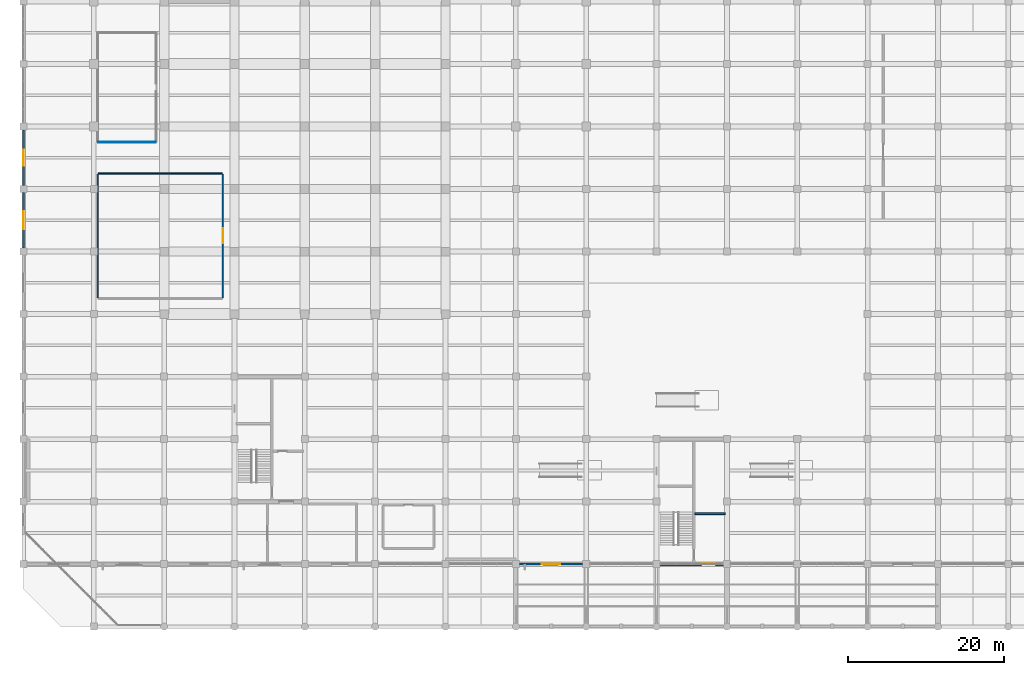
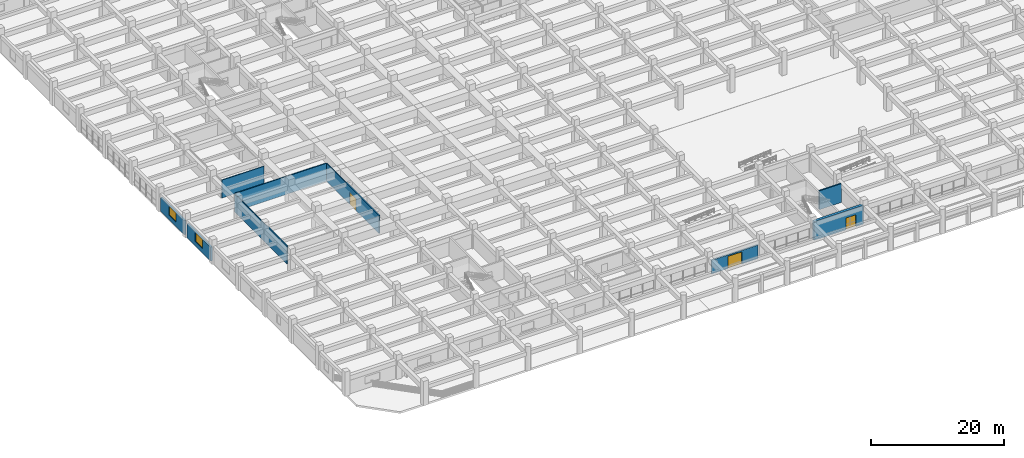
# One storey, part 22 of 40: 9 walls, 3 doors, 2 windows, 5 openings.
"""IFC4 building model written with IfcOpenShell, lengths in metres."""

import ifcopenshell
import ifcopenshell.guid

model = None  # the IFC model being written
_history = None  # IfcOwnerHistory: only IFC2X3 demands one
_inside = {}  # id of a spatial element -> (the spatial element, [elements in it])
_under = {}  # id of a project, library or spatial element -> (it, [spatial elements below it])
_declared = {}  # id of a project -> (the project, [libraries it declares])
_typed = {}  # id of a type object -> (the type object, [elements of that type])
_made_of = {}  # id of a material, layer set ... -> (it, [elements and type objects made of it])


def new_model(schema):
    """Start an empty IFC model of exactly this schema.

    Asked for "IFC4X3", IfcOpenShell would pick the latest addendum, in which some entities
    have other attributes; the version numbers below select the first issue.
    IFC2X3 requires an IfcOwnerHistory on every rooted entity: one is made here for all.
    """
    global model, _history
    if schema == "IFC4X3":
        model = ifcopenshell.file(schema_version=(4, 3, 0, 0))
    else:
        model = ifcopenshell.file(schema=schema)
    _inside.clear()
    _under.clear()
    _declared.clear()
    _typed.clear()
    _made_of.clear()
    _history = None
    if model.schema == "IFC2X3":
        org = make("IfcOrganization", Name="unknown")
        user = make(
            "IfcPersonAndOrganization",
            ThePerson=make("IfcPerson", FamilyName="unknown"),
            TheOrganization=org,
        )
        app = make(
            "IfcApplication",
            ApplicationDeveloper=org,
            Version="unknown",
            ApplicationFullName="unknown",
            ApplicationIdentifier="unknown",
        )
        _history = make(
            "IfcOwnerHistory",
            OwningUser=user,
            OwningApplication=app,
            ChangeAction="ADDED",
            CreationDate=0,
        )
    return model


def make(cls, **values):
    """One entity of the class cls with the attributes given. An attribute that is None is left unset."""
    return model.create_entity(
        cls, **{name: value for name, value in values.items() if value is not None}
    )


def rooted(cls, **values):
    """An entity with a GlobalId (a new one), such as an element, a storey or a relation."""
    return make(cls, GlobalId=ifcopenshell.guid.new(), OwnerHistory=_history, **values)


def si_unit(unit_type, name, prefix=None):
    """IfcSIUnit, for example si_unit("LENGTHUNIT", "METRE", prefix="MILLI")."""
    return make("IfcSIUnit", UnitType=unit_type, Prefix=prefix, Name=name)


def assignment(units):
    """IfcUnitAssignment: the units of a project."""
    return None if units is None else make("IfcUnitAssignment", Units=units)


def point(xyz):
    """IfcCartesianPoint."""
    return None if xyz is None else make("IfcCartesianPoint", Coordinates=xyz)


def direction(xyz):
    """IfcDirection."""
    return None if xyz is None else make("IfcDirection", DirectionRatios=xyz)


def frame(location, z_axis=None, x_axis=None):
    """IfcAxis2Placement3D, a coordinate frame: its origin and axes. An axis left out is left unset."""
    return make(
        "IfcAxis2Placement3D",
        Location=point(location),
        Axis=direction(z_axis),
        RefDirection=direction(x_axis),
    )


def frame_2d(location, x_axis=None):
    """IfcAxis2Placement2D, a coordinate frame in the plane: its origin and x axis."""
    return make(
        "IfcAxis2Placement2D", Location=point(location), RefDirection=direction(x_axis)
    )


def origin():
    """The frame at (0, 0, 0) with its axes left unset."""
    return frame((0.0, 0.0, 0.0))


def place(relative_to, where):
    """IfcLocalPlacement: puts the frame where relative to a parent placement (None: the world)."""
    return make(
        "IfcLocalPlacement", PlacementRelTo=relative_to, RelativePlacement=where
    )


def context(
    kind, dimensions, precision=None, world=None, true_north=None, identifier=None
):
    """IfcGeometricRepresentationContext, for example the 3D "Model" context."""
    return make(
        "IfcGeometricRepresentationContext",
        ContextIdentifier=identifier,
        ContextType=kind,
        CoordinateSpaceDimension=dimensions,
        Precision=precision,
        WorldCoordinateSystem=world,
        TrueNorth=true_north,
    )


def subcontext(parent, identifier, kind, view, scale=None):
    """IfcGeometricRepresentationSubContext, for example "Body" below "Model"."""
    return make(
        "IfcGeometricRepresentationSubContext",
        ContextIdentifier=identifier,
        ContextType=kind,
        ParentContext=parent,
        TargetScale=scale,
        TargetView=view,
    )


def project(units=None, contexts=None):
    """IfcProject with its units and contexts."""
    return rooted(
        "IfcProject",
        Name="project",
        RepresentationContexts=contexts,
        UnitsInContext=assignment(units),
    )


def spatial(cls, under=None, at=None, **own):
    """A site, building, storey or space (cls), placed at a placement, below another one or the project."""
    s = rooted(cls, ObjectPlacement=at, **own)
    if under is not None:
        _under.setdefault(under.id(), (under, []))[1].append(s)
    return s


def profile(cls, at=None, kind="AREA", **sizes):
    """A parametric profile (cls). Its sizes go by their IFC names, for example OverallWidth=200.0."""
    return make(cls, ProfileType=kind, Position=at, **sizes)


def rectangle(**sizes):
    """IfcRectangleProfileDef."""
    return profile("IfcRectangleProfileDef", **sizes)


def extrude(swept, where, along, depth):
    """IfcExtrudedAreaSolid: the profile swept, set in the frame where, extruded along a direction by depth."""
    return make(
        "IfcExtrudedAreaSolid",
        SweptArea=swept,
        Position=where,
        ExtrudedDirection=direction(along),
        Depth=depth,
    )


def shape(context_of_items, identifier, shape_type, items):
    """IfcShapeRepresentation: the items that make up one representation, for example the "Body"."""
    return make(
        "IfcShapeRepresentation",
        ContextOfItems=context_of_items,
        RepresentationIdentifier=identifier,
        RepresentationType=shape_type,
        Items=items,
    )


def material(Name=None, Category=None):
    """IfcMaterial."""
    return make("IfcMaterial", Name=Name, Category=Category)


def layer(
    of_material, thickness, ventilated=None, Name=None, Category=None, Priority=None
):
    """IfcMaterialLayer: one layer of a wall or slab, of a material (None: an air gap)."""
    return make(
        "IfcMaterialLayer",
        Material=of_material,
        LayerThickness=thickness,
        IsVentilated=ventilated,
        Name=Name,
        Category=Category,
        Priority=Priority,
    )


def layer_set(layers, Name=None):
    """IfcMaterialLayerSet."""
    return make("IfcMaterialLayerSet", MaterialLayers=layers, LayerSetName=Name)


def made_of(thing, what):
    """Note that an element or type object is made of a material, layer set ...; save() writes the relation."""
    if what is not None:
        _made_of.setdefault(what.id(), (what, []))[1].append(thing)
    return thing


def type_object(cls, material=None, **own):
    """A type object (cls), such as IfcWallType, which elements share."""
    return made_of(rooted(cls, **own), material)


def element(
    cls,
    number,
    at=None,
    inside=None,
    cuts=None,
    type_object=None,
    material=None,
    context=None,
    identifier="Body",
    shape_type=None,
    held_by="IfcProductDefinitionShape",
    body=None,
    shapes=None,
    **own,
):
    """One element of the class cls, such as IfcWall. Its Tag is "e" and its number.

    at: its placement. inside: the storey or other place that contains it. cuts: it is an
    opening in that element (IfcRelVoidsElement). A single representation is given by context,
    identifier, shape_type and body (its items); several are given by shapes. held_by: the class
    of the entity that holds the representations. save() writes the other relations.
    """
    e = rooted(cls, Tag="e%d" % number, ObjectPlacement=at, **own)
    if body is not None:
        shapes = [shape(context, identifier, shape_type, body)]
    if shapes is not None:
        e.Representation = make(held_by, Representations=shapes)
    if inside is not None:
        _inside.setdefault(inside.id(), (inside, []))[1].append(e)
    if cuts is not None:
        rooted(
            "IfcRelVoidsElement", RelatingBuildingElement=cuts, RelatedOpeningElement=e
        )
    if type_object is not None:
        _typed.setdefault(type_object.id(), (type_object, []))[1].append(e)
    return made_of(e, material)


def fill(opening, filler):
    """IfcRelFillsElement: the door or window that sits in an opening."""
    return rooted(
        "IfcRelFillsElement",
        RelatingOpeningElement=opening,
        RelatedBuildingElement=filler,
    )


def aggregate(whole, parts):
    """IfcRelAggregates: a whole, such as a stair, and the parts it consists of."""
    return rooted("IfcRelAggregates", RelatingObject=whole, RelatedObjects=parts)


def save(model, path):
    """Write the relations noted so far, then the file.

    IfcRelAggregates (storeys below a building ...), IfcRelContainedInSpatialStructure (elements
    in a storey), IfcRelDefinesByType, IfcRelAssociatesMaterial and IfcRelDeclares: one each for
    every whole, place, type object, material and project.
    """
    for whole, parts in _under.values():
        aggregate(whole, parts)
    for where, things in _inside.values():
        rooted(
            "IfcRelContainedInSpatialStructure",
            RelatedElements=things,
            RelatingStructure=where,
        )
    for kind, things in _typed.values():
        rooted("IfcRelDefinesByType", RelatedObjects=things, RelatingType=kind)
    for what, things in _made_of.values():
        rooted("IfcRelAssociatesMaterial", RelatedObjects=things, RelatingMaterial=what)
    for by, libraries in _declared.values():
        rooted("IfcRelDeclares", RelatingContext=by, RelatedDefinitions=libraries)
    model.write(path)


model = new_model("IFC4")

# Units and contexts
model_context = context("Model", 3, precision=1e-05, world=origin(), true_north=direction((0.0, 1.0)))
body_context = subcontext(model_context, "Body", "Model", "MODEL_VIEW")
ifc_project = project(units=[si_unit("LENGTHUNIT", "METRE"), si_unit("AREAUNIT", "SQUARE_METRE"), si_unit("VOLUMEUNIT", "CUBIC_METRE"), si_unit("PLANEANGLEUNIT", "RADIAN"), si_unit("MASSUNIT", "GRAM", prefix="KILO")], contexts=[model_context])

# Site, building, storey
site_placement = place(None, origin())
site = spatial("IfcSite", under=ifc_project, at=site_placement, CompositionType="ELEMENT")
building_placement = place(site_placement, origin())
building = spatial("IfcBuilding", under=site, at=building_placement, Name="Zaverband Oceanarium and Marine Research Institute", CompositionType="ELEMENT")
storey_placement = place(building_placement, origin())
storey = spatial("IfcBuildingStorey", under=building, at=storey_placement, Name="L00", CompositionType="ELEMENT", Elevation=0.0)

# Wall, opening, door
ifc_material_1 = material(Name="Concrete C50/60", Category="concrete")
ifc_layer_1 = layer(ifc_material_1, 0.449951171875, Name="Concrete C50/60")
ifc_layer_set_1 = layer_set([ifc_layer_1], Name="Concrete C50/60")
wall_type_1 = type_object("IfcWallType", Name="CW-02", PredefinedType="SHEAR", material=ifc_layer_set_1)
wall_1_placement = place(storey_placement, frame((81.22509765625, 8.0, 0.0), z_axis=(0.0, 0.0, 1.0), x_axis=(1.0, 0.0, 0.0)))
wall_1 = element("IfcWall", 1, at=wall_1_placement, inside=storey, type_object=wall_type_1, Name="Structural shear wall CW-02", PredefinedType="SHEAR", context=body_context, shape_type="SweptSolid", body=[
    extrude(rectangle(XDim=8.5498046875, YDim=0.449951171875, at=frame_2d((4.27490234375, 0.0))), origin(), (0.0, 0.0, 1.0), 3.449951171875),
])
opening_1_placement = place(wall_1_placement, frame((5.5, 0.0, 0.0)))
opening_1 = element("IfcOpeningElement", 2, at=opening_1_placement, cuts=wall_1, Name="Opening FD-02", PredefinedType="OPENING", context=body_context, shape_type="SweptSolid", body=[
    extrude(rectangle(XDim=1.800048828125, YDim=2.179931640625, at=frame_2d((0.89990234375, 1.08984375))), frame((0.0, 0.23681640625, 0.0), z_axis=(0.0, -1.0, 0.0), x_axis=(1.0, 0.0, 0.0)), (0.0, 0.0, 1.0), 0.473876953125),
])
ifc_material_2 = material(Name="Steel S355", Category="steel")
door_type_1 = type_object("IfcDoorType", Name="FD-02", OperationType="DOUBLE_DOOR_SINGLE_SWING", PredefinedType="DOOR", material=ifc_material_2)
door_1_placement = place(opening_1_placement, frame((1.800048828125, 0.0, 0.0), z_axis=(0.0, 0.0, 1.0), x_axis=(-1.0, 0.0, 0.0)))
door_1 = element("IfcDoor", 3, at=door_1_placement, inside=storey, type_object=door_type_1, Name="Protected lobby double fire door FD-02", OperationType="DOUBLE_DOOR_SINGLE_SWING", OverallHeight=2.179931640625, OverallWidth=1.800048828125, PredefinedType="DOOR", context=body_context, shape_type="SweptSolid", body=[
    extrude(rectangle(XDim=1.800048828125, YDim=2.179931640625, at=frame_2d((0.89990234375, 1.08984375))), frame((0.0, 0.02490234375, 0.0), z_axis=(0.0, -1.0, 0.0), x_axis=(1.0, 0.0, 0.0)), (0.0, 0.0, 1.0), 0.050048828125),
])
fill(opening_1, door_1)

ifc_material_3 = material(Name="Concrete C40/50 precast", Category="concrete")
ifc_layer_2 = layer(ifc_material_3, 0.264892578125, Name="Concrete C40/50 precast")
ifc_layer_set_2 = layer_set([ifc_layer_2], Name="Concrete C40/50 precast")
wall_type_2 = type_object("IfcWallType", Name="EW-265", PredefinedType="STANDARD", material=ifc_layer_set_2)
wall_2_placement = place(storey_placement, frame((63.455078125, 8.0, 0.0), z_axis=(0.0, 0.0, 1.0), x_axis=(1.0, 0.0, 0.0)))
wall_2 = element("IfcWall", 4, at=wall_2_placement, inside=storey, type_object=wall_type_2, Name="Exterior infill wall EW-265", PredefinedType="STANDARD", context=body_context, shape_type="SweptSolid", body=[
    extrude(rectangle(XDim=8.08984375, YDim=0.264892578125, at=frame_2d((4.044921875, 0.0))), origin(), (0.0, 0.0, 1.0), 2.489990234375),
])
opening_2_placement = place(wall_2_placement, frame((2.844970703125, 0.0, 0.0)))
opening_2 = element("IfcOpeningElement", 5, at=opening_2_placement, cuts=wall_2, Name="Opening ED-2400x2220", PredefinedType="OPENING", context=body_context, shape_type="SweptSolid", body=[
    extrude(rectangle(XDim=2.39990234375, YDim=2.219970703125, at=frame_2d((1.199951171875, 1.10986328125))), frame((0.0, 0.14453125, 0.0), z_axis=(0.0, -1.0, 0.0), x_axis=(1.0, 0.0, 0.0)), (0.0, 0.0, 1.0), 0.288818359375),
])
ifc_material_4 = material(Name="Thermally broken anodized aluminium and laminated glass", Category="aluminium")
door_type_2 = type_object("IfcDoorType", Name="ED-2400x2220", OperationType="DOUBLE_DOOR_SINGLE_SWING", PredefinedType="DOOR", material=ifc_material_4)
door_2_placement = place(opening_2_placement, frame((2.39990234375, 0.0, 0.0), z_axis=(0.0, 0.0, 1.0), x_axis=(-1.0, 0.0, 0.0)))
door_2 = element("IfcDoor", 6, at=door_2_placement, inside=storey, type_object=door_type_2, Name="Main entrance E3", OperationType="DOUBLE_DOOR_SINGLE_SWING", OverallHeight=2.219970703125, OverallWidth=2.39990234375, PredefinedType="DOOR", context=body_context, shape_type="SweptSolid", body=[
    extrude(rectangle(XDim=2.39990234375, YDim=2.219970703125, at=frame_2d((1.199951171875, 1.10986328125))), frame((0.0, 0.02490234375, 0.0), z_axis=(0.0, -1.0, 0.0), x_axis=(1.0, 0.0, 0.0)), (0.0, 0.0, 1.0), 0.050048828125),
])
fill(opening_2, door_2)

# Wall, opening, window
ifc_layer_3 = layer(ifc_material_3, 0.2900390625, Name="Concrete C40/50 precast")
ifc_layer_set_3 = layer_set([ifc_layer_3], Name="Concrete C40/50 precast")
wall_type_3 = type_object("IfcWallType", Name="EW-290", PredefinedType="STANDARD", material=ifc_layer_set_3)
wall_3_placement = place(storey_placement, frame((0.0, 56.455078125, 0.0), z_axis=(0.0, 0.0, 1.0), x_axis=(0.0, 1.0, 0.0)))
wall_3 = element("IfcWall", 7, at=wall_3_placement, inside=storey, type_object=wall_type_3, Name="Exterior infill wall EW-290", PredefinedType="STANDARD", context=body_context, shape_type="SweptSolid", body=[
    extrude(rectangle(XDim=7.08984375, YDim=0.2900390625, at=frame_2d((3.544921875, 0.0))), origin(), (0.0, 0.0, 1.0), 2.580078125),
])
opening_3_placement = place(wall_3_placement, frame((2.4951171875, 0.0, 0.85009765625)))
opening_3 = element("IfcOpeningElement", 8, at=opening_3_placement, cuts=wall_3, Name="Opening WN-2100x1610", PredefinedType="OPENING", context=body_context, shape_type="SweptSolid", body=[
    extrude(rectangle(XDim=2.10009765625, YDim=1.610107421875, at=frame_2d((1.050048828125, 0.80517578125))), frame((0.0, 0.156982421875, 0.0), z_axis=(0.0, -1.0, 0.0), x_axis=(1.0, 0.0, 0.0)), (0.0, 0.0, 1.0), 0.31396484375),
])
ifc_material_5 = material(Name="Thermally broken anodized aluminium and solar-control glass", Category="aluminium")
window_type_1 = type_object("IfcWindowType", Name="WN-2100x1610", PartitioningType="SINGLE_PANEL", PredefinedType="WINDOW", material=ifc_material_5)
window_1_placement = place(opening_3_placement, origin())
window_1 = element("IfcWindow", 9, at=window_1_placement, inside=storey, type_object=window_type_1, Name="Fixed / casement exterior window WN-2100x1610", OverallHeight=1.610107421875, OverallWidth=2.10009765625, PartitioningType="SINGLE_PANEL", PredefinedType="WINDOW", context=body_context, shape_type="SweptSolid", body=[
    extrude(rectangle(XDim=2.10009765625, YDim=1.610107421875, at=frame_2d((1.050048828125, 0.80517578125))), frame((0.0, 0.030029296875, 0.0), z_axis=(0.0, -1.0, 0.0), x_axis=(1.0, 0.0, 0.0)), (0.0, 0.0, 1.0), 0.06005859375),
])
fill(opening_3, window_1)

ifc_layer_4 = layer(ifc_material_3, 0.31005859375, Name="Concrete C40/50 precast")
ifc_layer_set_4 = layer_set([ifc_layer_4], Name="Concrete C40/50 precast")
wall_type_4 = type_object("IfcWallType", Name="EW-310", PredefinedType="STANDARD", material=ifc_layer_set_4)
wall_4_placement = place(storey_placement, frame((0.0, 48.455078125, 0.0), z_axis=(0.0, 0.0, 1.0), x_axis=(0.0, 1.0, 0.0)))
wall_4 = element("IfcWall", 10, at=wall_4_placement, inside=storey, type_object=wall_type_4, Name="Exterior infill wall EW-310", PredefinedType="STANDARD", context=body_context, shape_type="SweptSolid", body=[
    extrude(rectangle(XDim=7.08984375, YDim=0.31005859375, at=frame_2d((3.544921875, 0.0))), origin(), (0.0, 0.0, 1.0), 2.580078125),
])
opening_4_placement = place(wall_4_placement, frame((2.39501953125, 0.0, 0.85009765625)))
opening_4 = element("IfcOpeningElement", 11, at=opening_4_placement, cuts=wall_4, Name="Opening WN-2300x1610", PredefinedType="OPENING", context=body_context, shape_type="SweptSolid", body=[
    extrude(rectangle(XDim=2.300048828125, YDim=1.610107421875, at=frame_2d((1.14990234375, 0.80517578125))), frame((0.0, 0.1669921875, 0.0), z_axis=(0.0, -1.0, 0.0), x_axis=(1.0, 0.0, 0.0)), (0.0, 0.0, 1.0), 0.333984375),
])
window_type_2 = type_object("IfcWindowType", Name="WN-2300x1610", PartitioningType="SINGLE_PANEL", PredefinedType="WINDOW", material=ifc_material_5)
window_2_placement = place(opening_4_placement, origin())
window_2 = element("IfcWindow", 12, at=window_2_placement, inside=storey, type_object=window_type_2, Name="Fixed / casement exterior window WN-2300x1610", OverallHeight=1.610107421875, OverallWidth=2.300048828125, PartitioningType="SINGLE_PANEL", PredefinedType="WINDOW", context=body_context, shape_type="SweptSolid", body=[
    extrude(rectangle(XDim=2.300048828125, YDim=1.610107421875, at=frame_2d((1.14990234375, 0.80517578125))), frame((0.0, 0.030029296875, 0.0), z_axis=(0.0, -1.0, 0.0), x_axis=(1.0, 0.0, 0.0)), (0.0, 0.0, 1.0), 0.06005859375),
])
fill(opening_4, window_2)

# Walls
ifc_material_6 = material(Name="Insulated metal-stud office partition")
ifc_layer_5 = layer(ifc_material_6, 0.1201171875, Name="Insulated metal-stud office partition")
ifc_layer_set_5 = layer_set([ifc_layer_5], Name="Insulated metal-stud office partition")
wall_type_5 = type_object("IfcWallType", Name="PT-120-OF", PredefinedType="PARTITIONING", material=ifc_layer_set_5)
wall_5_placement = place(storey_placement, frame((9.56005859375, 62.0, 0.0), z_axis=(0.0, 0.0, 1.0), x_axis=(1.0, 0.0, 0.0)))
element("IfcWall", 13, at=wall_5_placement, inside=storey, type_object=wall_type_5, Name="Internal partition PT-120-OF", PredefinedType="PARTITIONING", context=body_context, shape_type="SweptSolid", body=[
    extrude(rectangle(XDim=7.3798828125, YDim=0.1201171875, at=frame_2d((3.68994140625, 0.0))), origin(), (0.0, 0.0, 1.0), 3.300048828125),
])
ifc_material_7 = material(Name="Corridor rated drywall partition")
ifc_layer_6 = layer(ifc_material_7, 0.1650390625, Name="Corridor rated drywall partition")
ifc_layer_set_6 = layer_set([ifc_layer_6], Name="Corridor rated drywall partition")
wall_type_6 = type_object("IfcWallType", Name="PT-165-CR", PredefinedType="PARTITIONING", material=ifc_layer_set_6)
for number, where, z_axis, x_axis, name in (
    (14, (9.58251953125, 58.0, 0.0), (0.0, 0.0, 1.0), (1.0, 0.0, 0.0), "Internal partition PT-165-CR"),
    (15, (9.5, 42.08251953125, 0.0), (0.0, 0.0, 1.0), (0.0, 1.0, 0.0), "Internal partition PT-165-CR"),
):
    element("IfcWall", number, at=place(storey_placement, frame(where, z_axis=z_axis, x_axis=x_axis)), inside=storey, type_object=wall_type_6, Name=name, PredefinedType="PARTITIONING", context=body_context, shape_type="SweptSolid", body=[
        extrude(rectangle(XDim=15.8349609375, YDim=0.1650390625, at=frame_2d((7.91748046875, 0.0))), origin(), (0.0, 0.0, 1.0), 3.300048828125),
    ])

# Wall, opening, door
wall_6_placement = place(storey_placement, frame((25.5, 42.08251953125, 0.0), z_axis=(0.0, 0.0, 1.0), x_axis=(0.0, 1.0, 0.0)))
wall_6 = element("IfcWall", 16, at=wall_6_placement, inside=storey, type_object=wall_type_6, Name="Internal partition PT-165-CR", PredefinedType="PARTITIONING", context=body_context, shape_type="SweptSolid", body=[
    extrude(rectangle(XDim=15.8349609375, YDim=0.1650390625, at=frame_2d((7.91748046875, 0.0))), origin(), (0.0, 0.0, 1.0), 3.300048828125),
])
opening_5_placement = place(wall_6_placement, frame((6.95751953125, 0.0, 0.0)))
opening_5 = element("IfcOpeningElement", 17, at=opening_5_placement, cuts=wall_6, Name="Opening ID-1920x2180", PredefinedType="OPENING", context=body_context, shape_type="SweptSolid", body=[
    extrude(rectangle(XDim=1.919921875, YDim=2.179931640625, at=frame_2d((0.9599609375, 1.08984375))), frame((0.0, 0.094482421875, 0.0), z_axis=(0.0, -1.0, 0.0), x_axis=(1.0, 0.0, 0.0)), (0.0, 0.0, 1.0), 0.18896484375),
])
ifc_material_8 = material(Name="Hardwood-veneered acoustic timber", Category="wood")
door_type_3 = type_object("IfcDoorType", Name="ID-1920x2180", OperationType="DOUBLE_DOOR_SINGLE_SWING", PredefinedType="DOOR", material=ifc_material_8)
door_3_placement = place(opening_5_placement, origin())
door_3 = element("IfcDoor", 18, at=door_3_placement, inside=storey, type_object=door_type_3, Name="Exhibition hall double door ID-1920x2180", OperationType="DOUBLE_DOOR_SINGLE_SWING", OverallHeight=2.179931640625, OverallWidth=1.919921875, PredefinedType="DOOR", context=body_context, shape_type="SweptSolid", body=[
    extrude(rectangle(XDim=1.919921875, YDim=2.179931640625, at=frame_2d((0.9599609375, 1.08984375))), frame((0.0, 0.02490234375, 0.0), z_axis=(0.0, -1.0, 0.0), x_axis=(1.0, 0.0, 0.0)), (0.0, 0.0, 1.0), 0.050048828125),
])
fill(opening_5, door_3)

# Wall
ifc_layer_7 = layer(ifc_material_1, 0.25, Name="Concrete C50/60")
ifc_layer_set_7 = layer_set([ifc_layer_7], Name="Concrete C50/60")
wall_type_7 = type_object("IfcWallType", Name="PW-CORE-250", PredefinedType="SOLIDWALL", material=ifc_layer_set_7)
wall_7_placement = place(storey_placement, frame((85.905029296875, 14.47509765625, 0.0), z_axis=(0.0, 0.0, 1.0), x_axis=(1.0, 0.0, 0.0)))
element("IfcWall", 19, at=wall_7_placement, inside=storey, type_object=wall_type_7, Name="Structural concrete wall PW-CORE-250", PredefinedType="SOLIDWALL", context=body_context, shape_type="SweptSolid", body=[
    extrude(rectangle(XDim=3.869873046875, YDim=0.25, at=frame_2d((1.93505859375, 0.0))), origin(), (0.0, 0.0, 1.0), 3.449951171875),
])

save(model, "model.ifc")
